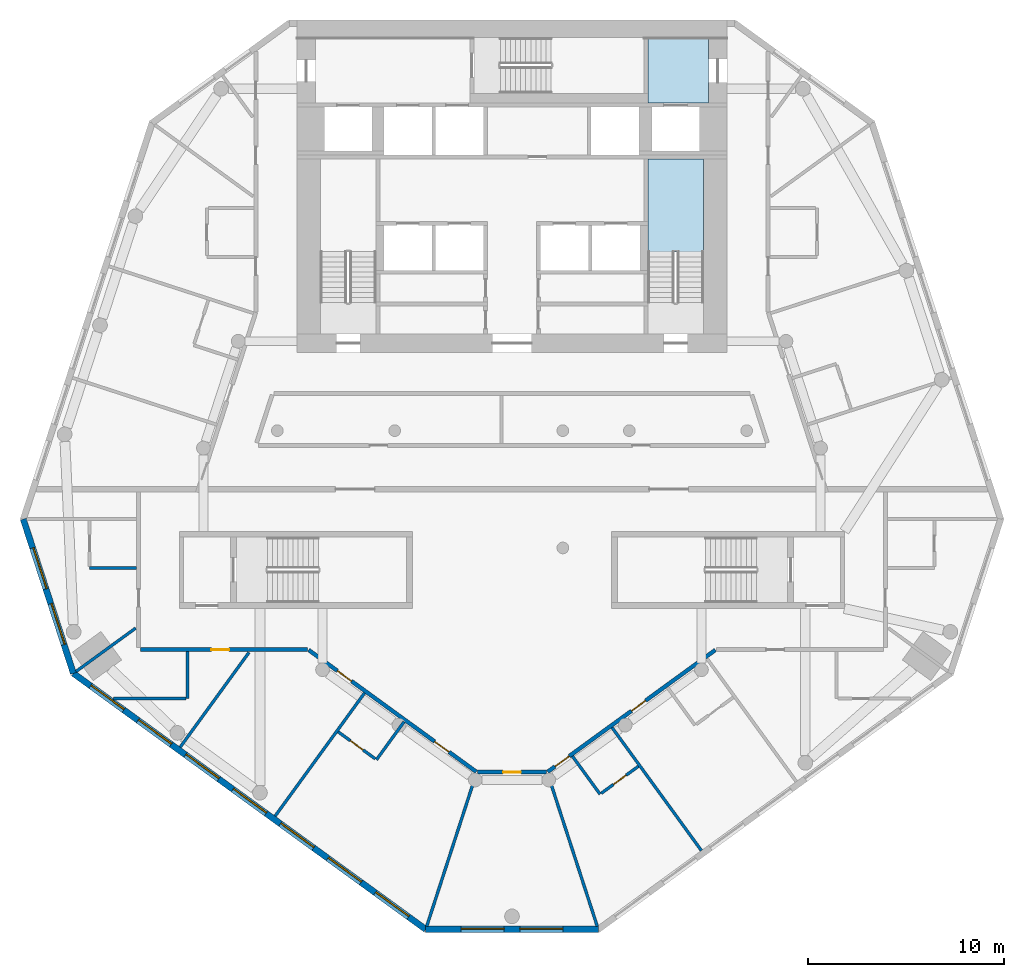
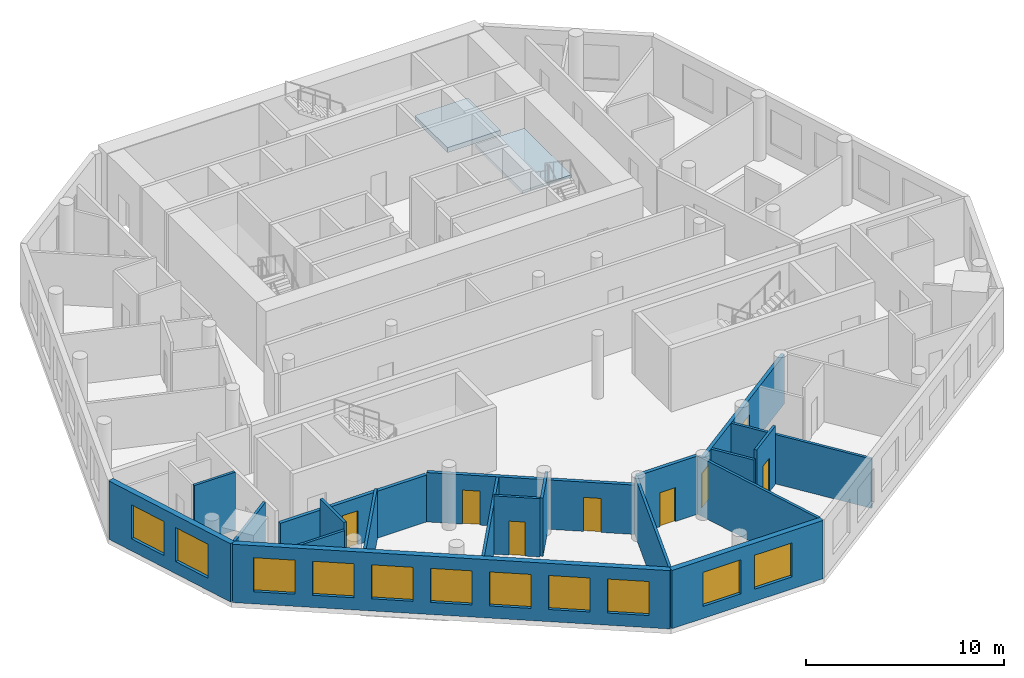
# One storey, part 2 of 9: 20 walls, 11 windows, 8 doors, 2 slabs, 19 openings, 1 element without a shape of its own.
"""IFC4 building model written with IfcOpenShell, lengths in metres."""

from ifc_helpers import new_model, si_unit, direction, frame, frame_2d, origin, place, context, subcontext, project, spatial, polyline, rectangle, outline, extrude, material, layer, layer_set, type_object, element, fill, aggregate, save


model = new_model("IFC4")

# Units and contexts
model_context = context("Model", 3, precision=1e-05, world=origin(), true_north=direction((0.0, 1.0)))
body_context = subcontext(model_context, "Body", "Model", "MODEL_VIEW")
ifc_project = project(units=[si_unit("LENGTHUNIT", "METRE"), si_unit("AREAUNIT", "SQUARE_METRE"), si_unit("VOLUMEUNIT", "CUBIC_METRE"), si_unit("PLANEANGLEUNIT", "RADIAN"), si_unit("MASSUNIT", "GRAM", prefix="KILO")], contexts=[model_context])

# Site, building, storey
site_placement = place(None, origin())
site = spatial("IfcSite", under=ifc_project, at=site_placement, CompositionType="ELEMENT")
building_placement = place(site_placement, origin())
building = spatial("IfcBuilding", under=site, at=building_placement, Name="White Candle Pilgrim Tower", CompositionType="ELEMENT")
storey_placement = place(building_placement, frame((0.0, 0.0, 187.60009765625)))
storey = spatial("IfcBuildingStorey", under=building, at=storey_placement, Name="L43", CompositionType="ELEMENT", Elevation=187.60009765625)

# Slab
ifc_material_1 = material(Name="Concrete C40/50", Category="concrete")
ifc_layer_1 = layer(ifc_material_1, 0.300048828125)
ifc_layer_set_1 = layer_set([ifc_layer_1], Name="Core floor slab 300 mm Concrete C40/50")
slab_type_1 = type_object("IfcSlabType", Name="Core floor slab 300 mm Concrete C40/50", PredefinedType="FLOOR", material=ifc_layer_set_1)
slab_1_placement = place(storey_placement, frame((0.0, 0.0, -0.300048828125)))
element("IfcSlab", 1, at=slab_1_placement, inside=storey, type_object=slab_type_1, Name="CF-L43-06", PredefinedType="FLOOR", context=body_context, shape_type="SweptSolid", body=[
    extrude(outline(polyline([(80.050048828125, 87.050048828125), (80.050048828125, 83.75), (76.949951171875, 83.75), (76.949951171875, 84.25), (76.949951171875, 87.050048828125), (80.050048828125, 87.050048828125)])), origin(), (0.0, 0.0, 1.0), 0.300048828125),
])

# Stair, slab
stair_type = type_object("IfcStairType", Name="Exit stair 2 flight width 1350 mm", PredefinedType="HALF_TURN_STAIR", material=ifc_material_1)
stair_placement = place(storey_placement, origin())
stair = element("IfcStair", 2, at=stair_placement, inside=storey, type_object=stair_type, Name="L43 stair 2", PredefinedType="NOTDEFINED")
ifc_layer_2 = layer(ifc_material_1, 0.199951171875)
ifc_layer_set_2 = layer_set([ifc_layer_2], Name="Stair landing Concrete C40/50")
slab_type_2 = type_object("IfcSlabType", Name="Stair landing Concrete C40/50", PredefinedType="LANDING", material=ifc_layer_set_2)
slab_2_placement = place(storey_placement, frame((0.0, 0.0, 1.75)))
slab_2 = element("IfcSlab", 3, at=slab_2_placement, type_object=slab_type_2, Name="ST2 landing 1", PredefinedType="LANDING", context=body_context, shape_type="SweptSolid", body=[
    extrude(outline(polyline([(79.802001953125, 76.14794921875), (76.947998046875, 76.14794921875), (76.947998046875, 80.902099609375), (79.802001953125, 80.902099609375), (79.802001953125, 76.14794921875)])), origin(), (0.0, 0.0, 1.0), 0.199951171875),
])
aggregate(stair, [slab_2])

# Wall, openings, doors
ifc_material_2 = material(Name="Gypsum board on steel studs", Category="steel")
ifc_layer_3 = layer(ifc_material_2, 0.199951171875)
ifc_layer_set_3 = layer_set([ifc_layer_3], Name="Corridor wall 200 mm EI 45")
wall_type_1 = type_object("IfcWallType", Name="Corridor wall 200 mm EI 45", PredefinedType="PARTITIONING", material=ifc_layer_set_3)
wall_1_placement = place(storey_placement, frame((80.398193359375, 55.781005859375, 0.0), z_axis=(0.0, 0.0, 1.0), x_axis=(-0.809012991801, -0.587790761324, 0.0)))
wall_1 = element("IfcWall", 4, at=wall_1_placement, inside=storey, type_object=wall_type_1, Name="WL-L43-P008", PredefinedType="PARTITIONING", context=body_context, shape_type="SweptSolid", body=[
    extrude(rectangle(XDim=10.595703125, YDim=0.199951171875, at=frame_2d((5.2978515625, 0.0))), origin(), (0.0, 0.0, 1.0), 3.0498046875),
])
opening_1_placement = place(wall_1_placement, frame((9.233154296875, 0.0, 0.0)))
opening_1 = element("IfcOpeningElement", 5, at=opening_1_placement, cuts=wall_1, Name="Opening T13-111", PredefinedType="OPENING", context=body_context, shape_type="SweptSolid", body=[
    extrude(rectangle(XDim=0.89990234375, YDim=2.10009765625, at=frame_2d((0.449951171875, 1.050048828125))), frame((0.0, 0.10986328125, 0.0), z_axis=(0.0, -1.0, 0.0), x_axis=(1.0, 0.0, 0.0)), (0.0, 0.0, 1.0), 0.219970703125),
])
opening_2_placement = place(wall_1_placement, frame((4.404296875, 0.0, 0.0)))
opening_2 = element("IfcOpeningElement", 6, at=opening_2_placement, cuts=wall_1, Name="Opening T13-113", PredefinedType="OPENING", context=body_context, shape_type="SweptSolid", body=[
    extrude(rectangle(XDim=0.89990234375, YDim=2.10009765625, at=frame_2d((0.449951171875, 1.050048828125))), frame((0.0, 0.10986328125, 0.0), z_axis=(0.0, -1.0, 0.0), x_axis=(1.0, 0.0, 0.0)), (0.0, 0.0, 1.0), 0.219970703125),
])
ifc_material_3 = material(Name="Steel door leaf", Category="steel")
door_type_1 = type_object("IfcDoorType", Name="Fire door 900 x 2100 EI 30", OperationType="NOTDEFINED", PredefinedType="DOOR", material=ifc_material_3)
door_1_placement = place(opening_1_placement, origin())
door_1 = element("IfcDoor", 7, at=door_1_placement, inside=storey, type_object=door_type_1, Name="Door T13-111", OperationType="SINGLE_SWING_LEFT", OverallHeight=2.10009765625, OverallWidth=0.89990234375, PredefinedType="DOOR", context=body_context, shape_type="SweptSolid", body=[
    extrude(rectangle(XDim=0.89990234375, YDim=2.10009765625, at=frame_2d((0.449951171875, 1.050048828125))), frame((0.0, 0.02490234375, 0.0), z_axis=(0.0, -1.0, 0.0), x_axis=(1.0, 0.0, 0.0)), (0.0, 0.0, 1.0), 0.050048828125),
])
fill(opening_1, door_1)
door_2_placement = place(opening_2_placement, origin())
door_2 = element("IfcDoor", 8, at=door_2_placement, inside=storey, type_object=door_type_1, Name="Door T13-113", OperationType="SINGLE_SWING_LEFT", OverallHeight=2.10009765625, OverallWidth=0.89990234375, PredefinedType="DOOR", context=body_context, shape_type="SweptSolid", body=[
    extrude(rectangle(XDim=0.89990234375, YDim=2.10009765625, at=frame_2d((0.449951171875, 1.050048828125))), frame((0.0, 0.02490234375, 0.0), z_axis=(0.0, -1.0, 0.0), x_axis=(1.0, 0.0, 0.0)), (0.0, 0.0, 1.0), 0.050048828125),
])
fill(opening_2, door_2)

# Wall, opening, door
wall_2_placement = place(storey_placement, frame((71.767333984375, 49.533935546875, 0.0), z_axis=(0.0, 0.0, 1.0), x_axis=(-1.0, 0.0, 0.0)))
wall_2 = element("IfcWall", 9, at=wall_2_placement, inside=storey, type_object=wall_type_1, Name="WL-L43-P009", PredefinedType="PARTITIONING", context=body_context, shape_type="SweptSolid", body=[
    extrude(rectangle(XDim=3.53466796875, YDim=0.199951171875, at=frame_2d((1.767333984375, 0.0))), origin(), (0.0, 0.0, 1.0), 3.599853515625),
])
opening_3_placement = place(wall_2_placement, frame((1.3173828125, 0.0, 0.0)))
opening_3 = element("IfcOpeningElement", 10, at=opening_3_placement, cuts=wall_2, Name="Opening T13-109", PredefinedType="OPENING", context=body_context, shape_type="SweptSolid", body=[
    extrude(rectangle(XDim=0.89990234375, YDim=2.10009765625, at=frame_2d((0.449951171875, 1.050048828125))), frame((0.0, 0.10986328125, 0.0), z_axis=(0.0, -1.0, 0.0), x_axis=(1.0, 0.0, 0.0)), (0.0, 0.0, 1.0), 0.219970703125),
])
door_3_placement = place(opening_3_placement, origin())
door_3 = element("IfcDoor", 11, at=door_3_placement, inside=storey, type_object=door_type_1, Name="Door T13-109", OperationType="SINGLE_SWING_LEFT", OverallHeight=2.10009765625, OverallWidth=0.89990234375, PredefinedType="DOOR", context=body_context, shape_type="SweptSolid", body=[
    extrude(rectangle(XDim=0.89990234375, YDim=2.10009765625, at=frame_2d((0.449951171875, 1.050048828125))), frame((0.0, 0.02490234375, 0.0), z_axis=(0.0, -1.0, 0.0), x_axis=(1.0, 0.0, 0.0)), (0.0, 0.0, 1.0), 0.050048828125),
])
fill(opening_3, door_3)

# Wall, openings, doors
wall_3_placement = place(storey_placement, frame((68.173828125, 49.552978515625, 0.0), z_axis=(0.0, 0.0, 1.0), x_axis=(-0.809012991801, 0.587790761324, 0.0)))
wall_3 = element("IfcWall", 12, at=wall_3_placement, inside=storey, type_object=wall_type_1, Name="WL-L43-P010", PredefinedType="PARTITIONING", context=body_context, shape_type="SweptSolid", body=[
    extrude(rectangle(XDim=10.595703125, YDim=0.199951171875, at=frame_2d((5.2978515625, 0.0))), origin(), (0.0, 0.0, 1.0), 3.0498046875),
])
opening_4_placement = place(wall_3_placement, frame((7.884765625, 0.0, 0.0)))
opening_4 = element("IfcOpeningElement", 13, at=opening_4_placement, cuts=wall_3, Name="Opening T13-106", PredefinedType="OPENING", context=body_context, shape_type="SweptSolid", body=[
    extrude(rectangle(XDim=0.89990234375, YDim=2.10009765625, at=frame_2d((0.449951171875, 1.050048828125))), frame((0.0, 0.10986328125, 0.0), z_axis=(0.0, -1.0, 0.0), x_axis=(1.0, 0.0, 0.0)), (0.0, 0.0, 1.0), 0.219970703125),
])
opening_5_placement = place(wall_3_placement, frame((1.7294921875, 0.0, 0.0)))
opening_5 = element("IfcOpeningElement", 14, at=opening_5_placement, cuts=wall_3, Name="Opening T13-108", PredefinedType="OPENING", context=body_context, shape_type="SweptSolid", body=[
    extrude(rectangle(XDim=0.89990234375, YDim=2.10009765625, at=frame_2d((0.449951171875, 1.050048828125))), frame((0.0, 0.10986328125, 0.0), z_axis=(0.0, -1.0, 0.0), x_axis=(1.0, 0.0, 0.0)), (0.0, 0.0, 1.0), 0.219970703125),
])
door_4_placement = place(opening_4_placement, origin())
door_4 = element("IfcDoor", 15, at=door_4_placement, inside=storey, type_object=door_type_1, Name="Door T13-106", OperationType="SINGLE_SWING_RIGHT", OverallHeight=2.10009765625, OverallWidth=0.89990234375, PredefinedType="DOOR", context=body_context, shape_type="SweptSolid", body=[
    extrude(rectangle(XDim=0.89990234375, YDim=2.10009765625, at=frame_2d((0.449951171875, 1.050048828125))), frame((0.0, 0.02490234375, 0.0), z_axis=(0.0, -1.0, 0.0), x_axis=(1.0, 0.0, 0.0)), (0.0, 0.0, 1.0), 0.050048828125),
])
fill(opening_4, door_4)
door_5_placement = place(opening_5_placement, origin())
door_5 = element("IfcDoor", 16, at=door_5_placement, inside=storey, type_object=door_type_1, Name="Door T13-108", OperationType="SINGLE_SWING_RIGHT", OverallHeight=2.10009765625, OverallWidth=0.89990234375, PredefinedType="DOOR", context=body_context, shape_type="SweptSolid", body=[
    extrude(rectangle(XDim=0.89990234375, YDim=2.10009765625, at=frame_2d((0.449951171875, 1.050048828125))), frame((0.0, 0.02490234375, 0.0), z_axis=(0.0, -1.0, 0.0), x_axis=(1.0, 0.0, 0.0)), (0.0, 0.0, 1.0), 0.050048828125),
])
fill(opening_5, door_5)

# Wall, opening, door
wall_4_placement = place(storey_placement, frame((59.54296875, 55.800048828125, 0.0), z_axis=(0.0, 0.0, 1.0), x_axis=(-1.0, 0.0, 0.0)))
wall_4 = element("IfcWall", 17, at=wall_4_placement, inside=storey, type_object=wall_type_1, Name="WL-L43-P011", PredefinedType="PARTITIONING", context=body_context, shape_type="SweptSolid", body=[
    extrude(rectangle(XDim=8.54296875, YDim=0.199951171875, at=frame_2d((4.271484375, 0.0))), origin(), (0.0, 0.0, 1.0), 2.89990234375),
])
opening_6_placement = place(wall_4_placement, frame((4.015869140625, 0.0, 0.0)))
opening_6 = element("IfcOpeningElement", 18, at=opening_6_placement, cuts=wall_4, Name="Opening T13-105", PredefinedType="OPENING", context=body_context, shape_type="SweptSolid", body=[
    extrude(rectangle(XDim=0.89990234375, YDim=2.10009765625, at=frame_2d((0.449951171875, 1.050048828125))), frame((0.0, 0.10986328125, 0.0), z_axis=(0.0, -1.0, 0.0), x_axis=(1.0, 0.0, 0.0)), (0.0, 0.0, 1.0), 0.219970703125),
])
door_6_placement = place(opening_6_placement, origin())
door_6 = element("IfcDoor", 19, at=door_6_placement, inside=storey, type_object=door_type_1, Name="Door T13-105", OperationType="SINGLE_SWING_LEFT", OverallHeight=2.10009765625, OverallWidth=0.89990234375, PredefinedType="DOOR", context=body_context, shape_type="SweptSolid", body=[
    extrude(rectangle(XDim=0.89990234375, YDim=2.10009765625, at=frame_2d((0.449951171875, 1.050048828125))), frame((0.0, 0.02490234375, 0.0), z_axis=(0.0, -1.0, 0.0), x_axis=(1.0, 0.0, 0.0)), (0.0, 0.0, 1.0), 0.050048828125),
])
fill(opening_6, door_6)

# Wall, openings, windows
ifc_material_4 = material(Name="Precast concrete C40/50", Category="concrete")
ifc_layer_4 = layer(ifc_material_4, 0.320068359375)
ifc_layer_set_4 = layer_set([ifc_layer_4], Name="Facade wall EW1 precast concrete C40/50 pier wall with timber-lined reveals")
wall_type_2 = type_object("IfcWallType", Name="Facade wall EW1 precast concrete C40/50 pier wall with timber-lined reveals", PredefinedType="SOLIDWALL", material=ifc_layer_set_4)
wall_5_placement = place(storey_placement, frame((45.0068359375, 62.470703125, 0.0), z_axis=(0.0, 0.0, 1.0), x_axis=(0.309001512975, -0.951061546368, 0.0)))
wall_5 = element("IfcWall", 20, at=wall_5_placement, inside=storey, type_object=wall_type_2, Name="Facade wall L43 W chamfer", PredefinedType="SOLIDWALL", context=body_context, shape_type="SweptSolid", body=[
    extrude(rectangle(XDim=8.291259765625, YDim=0.320068359375, at=frame_2d((4.1455078125, 0.0))), origin(), (0.0, 0.0, 1.0), 3.599853515625),
])
opening_7_placement = place(wall_5_placement, frame((1.545654296875, 0.0, 0.75)))
opening_7 = element("IfcOpeningElement", 21, at=opening_7_placement, cuts=wall_5, Name="Opening W4", PredefinedType="OPENING", context=body_context, shape_type="SweptSolid", body=[
    extrude(rectangle(XDim=2.199951171875, YDim=2.10009765625, at=frame_2d((1.10009765625, 1.050048828125))), frame((0.0, 0.169921875, 0.0), z_axis=(0.0, -1.0, 0.0), x_axis=(1.0, 0.0, 0.0)), (0.0, 0.0, 1.0), 0.340087890625),
])
opening_8_placement = place(wall_5_placement, frame((4.545654296875, 0.0, 0.75)))
opening_8 = element("IfcOpeningElement", 22, at=opening_8_placement, cuts=wall_5, Name="Opening W4", PredefinedType="OPENING", context=body_context, shape_type="SweptSolid", body=[
    extrude(rectangle(XDim=2.199951171875, YDim=2.10009765625, at=frame_2d((1.10009765625, 1.050048828125))), frame((0.0, 0.169921875, 0.0), z_axis=(0.0, -1.0, 0.0), x_axis=(1.0, 0.0, 0.0)), (0.0, 0.0, 1.0), 0.340087890625),
])
ifc_material_5 = material(Name="Timber frame with triple glazing", Category="wood")
window_type_1 = type_object("IfcWindowType", Name="Window W4 2200x2100 timber frame triple glazing", PartitioningType="SINGLE_PANEL", PredefinedType="WINDOW", material=ifc_material_5)
window_1_placement = place(opening_7_placement, origin())
window_1 = element("IfcWindow", 23, at=window_1_placement, inside=storey, type_object=window_type_1, Name="Window W4 L43 W chamfer 1", OverallHeight=2.10009765625, OverallWidth=2.199951171875, PartitioningType="SINGLE_PANEL", PredefinedType="WINDOW", context=body_context, shape_type="SweptSolid", body=[
    extrude(rectangle(XDim=2.199951171875, YDim=2.10009765625, at=frame_2d((1.10009765625, 1.050048828125))), frame((0.0, 0.070068359375, 0.0), z_axis=(0.0, -1.0, 0.0), x_axis=(1.0, 0.0, 0.0)), (0.0, 0.0, 1.0), 0.06005859375),
])
fill(opening_7, window_1)
window_2_placement = place(opening_8_placement, origin())
window_2 = element("IfcWindow", 24, at=window_2_placement, inside=storey, type_object=window_type_1, Name="Window W4 L43 W chamfer 2", OverallHeight=2.10009765625, OverallWidth=2.199951171875, PartitioningType="SINGLE_PANEL", PredefinedType="WINDOW", context=body_context, shape_type="SweptSolid", body=[
    extrude(rectangle(XDim=2.199951171875, YDim=2.10009765625, at=frame_2d((1.10009765625, 1.050048828125))), frame((0.0, 0.070068359375, 0.0), z_axis=(0.0, -1.0, 0.0), x_axis=(1.0, 0.0, 0.0)), (0.0, 0.0, 1.0), 0.06005859375),
])
fill(opening_8, window_2)

wall_6_placement = place(storey_placement, frame((47.56884765625, 54.585205078125, 0.0), z_axis=(0.0, 0.0, 1.0), x_axis=(0.809019450931, -0.587781871118, 0.0)))
wall_6 = element("IfcWall", 25, at=wall_6_placement, inside=storey, type_object=wall_type_2, Name="Facade wall L43 SW", PredefinedType="SOLIDWALL", context=body_context, shape_type="SweptSolid", body=[
    extrude(rectangle(XDim=22.2724609375, YDim=0.320068359375, at=frame_2d((11.13623046875, 0.0))), origin(), (0.0, 0.0, 1.0), 3.599853515625),
])
opening_9_placement = place(wall_6_placement, frame((1.086181640625, 0.0, 0.75)))
opening_9 = element("IfcOpeningElement", 26, at=opening_9_placement, cuts=wall_6, Name="Opening W3", PredefinedType="OPENING", context=body_context, shape_type="SweptSolid", body=[
    extrude(rectangle(XDim=2.10009765625, YDim=2.10009765625, at=frame_2d((1.050048828125, 1.050048828125))), frame((0.0, 0.169921875, 0.0), z_axis=(0.0, -1.0, 0.0), x_axis=(1.0, 0.0, 0.0)), (0.0, 0.0, 1.0), 0.340087890625),
])
opening_10_placement = place(wall_6_placement, frame((4.086181640625, 0.0, 0.75)))
opening_10 = element("IfcOpeningElement", 27, at=opening_10_placement, cuts=wall_6, Name="Opening W3", PredefinedType="OPENING", context=body_context, shape_type="SweptSolid", body=[
    extrude(rectangle(XDim=2.10009765625, YDim=2.10009765625, at=frame_2d((1.050048828125, 1.050048828125))), frame((0.0, 0.169921875, 0.0), z_axis=(0.0, -1.0, 0.0), x_axis=(1.0, 0.0, 0.0)), (0.0, 0.0, 1.0), 0.340087890625),
])
opening_11_placement = place(wall_6_placement, frame((7.086181640625, 0.0, 0.75)))
opening_11 = element("IfcOpeningElement", 28, at=opening_11_placement, cuts=wall_6, Name="Opening W3", PredefinedType="OPENING", context=body_context, shape_type="SweptSolid", body=[
    extrude(rectangle(XDim=2.10009765625, YDim=2.10009765625, at=frame_2d((1.050048828125, 1.050048828125))), frame((0.0, 0.169921875, 0.0), z_axis=(0.0, -1.0, 0.0), x_axis=(1.0, 0.0, 0.0)), (0.0, 0.0, 1.0), 0.340087890625),
])
opening_12_placement = place(wall_6_placement, frame((10.086181640625, 0.0, 0.75)))
opening_12 = element("IfcOpeningElement", 29, at=opening_12_placement, cuts=wall_6, Name="Opening W3", PredefinedType="OPENING", context=body_context, shape_type="SweptSolid", body=[
    extrude(rectangle(XDim=2.10009765625, YDim=2.10009765625, at=frame_2d((1.050048828125, 1.050048828125))), frame((0.0, 0.169921875, 0.0), z_axis=(0.0, -1.0, 0.0), x_axis=(1.0, 0.0, 0.0)), (0.0, 0.0, 1.0), 0.340087890625),
])
opening_13_placement = place(wall_6_placement, frame((13.086181640625, 0.0, 0.75)))
opening_13 = element("IfcOpeningElement", 30, at=opening_13_placement, cuts=wall_6, Name="Opening W3", PredefinedType="OPENING", context=body_context, shape_type="SweptSolid", body=[
    extrude(rectangle(XDim=2.10009765625, YDim=2.10009765625, at=frame_2d((1.050048828125, 1.050048828125))), frame((0.0, 0.169921875, 0.0), z_axis=(0.0, -1.0, 0.0), x_axis=(1.0, 0.0, 0.0)), (0.0, 0.0, 1.0), 0.340087890625),
])
opening_14_placement = place(wall_6_placement, frame((16.086181640625, 0.0, 0.75)))
opening_14 = element("IfcOpeningElement", 31, at=opening_14_placement, cuts=wall_6, Name="Opening W3", PredefinedType="OPENING", context=body_context, shape_type="SweptSolid", body=[
    extrude(rectangle(XDim=2.10009765625, YDim=2.10009765625, at=frame_2d((1.050048828125, 1.050048828125))), frame((0.0, 0.169921875, 0.0), z_axis=(0.0, -1.0, 0.0), x_axis=(1.0, 0.0, 0.0)), (0.0, 0.0, 1.0), 0.340087890625),
])
opening_15_placement = place(wall_6_placement, frame((19.086181640625, 0.0, 0.75)))
opening_15 = element("IfcOpeningElement", 32, at=opening_15_placement, cuts=wall_6, Name="Opening W3", PredefinedType="OPENING", context=body_context, shape_type="SweptSolid", body=[
    extrude(rectangle(XDim=2.10009765625, YDim=2.10009765625, at=frame_2d((1.050048828125, 1.050048828125))), frame((0.0, 0.169921875, 0.0), z_axis=(0.0, -1.0, 0.0), x_axis=(1.0, 0.0, 0.0)), (0.0, 0.0, 1.0), 0.340087890625),
])
window_type_2 = type_object("IfcWindowType", Name="Window W3 2100x2100 timber frame triple glazing", PartitioningType="SINGLE_PANEL", PredefinedType="WINDOW", material=ifc_material_5)
window_3_placement = place(opening_9_placement, origin())
window_3 = element("IfcWindow", 33, at=window_3_placement, inside=storey, type_object=window_type_2, Name="Window W3 L43 SW 1", OverallHeight=2.10009765625, OverallWidth=2.10009765625, PartitioningType="SINGLE_PANEL", PredefinedType="WINDOW", context=body_context, shape_type="SweptSolid", body=[
    extrude(rectangle(XDim=2.10009765625, YDim=2.10009765625, at=frame_2d((1.050048828125, 1.050048828125))), frame((0.0, 0.070068359375, 0.0), z_axis=(0.0, -1.0, 0.0), x_axis=(1.0, 0.0, 0.0)), (0.0, 0.0, 1.0), 0.06005859375),
])
fill(opening_9, window_3)
window_4_placement = place(opening_10_placement, origin())
window_4 = element("IfcWindow", 34, at=window_4_placement, inside=storey, type_object=window_type_2, Name="Window W3 L43 SW 2", OverallHeight=2.10009765625, OverallWidth=2.10009765625, PartitioningType="SINGLE_PANEL", PredefinedType="WINDOW", context=body_context, shape_type="SweptSolid", body=[
    extrude(rectangle(XDim=2.10009765625, YDim=2.10009765625, at=frame_2d((1.050048828125, 1.050048828125))), frame((0.0, 0.070068359375, 0.0), z_axis=(0.0, -1.0, 0.0), x_axis=(1.0, 0.0, 0.0)), (0.0, 0.0, 1.0), 0.06005859375),
])
fill(opening_10, window_4)
window_5_placement = place(opening_11_placement, origin())
window_5 = element("IfcWindow", 35, at=window_5_placement, inside=storey, type_object=window_type_2, Name="Window W3 L43 SW 3", OverallHeight=2.10009765625, OverallWidth=2.10009765625, PartitioningType="SINGLE_PANEL", PredefinedType="WINDOW", context=body_context, shape_type="SweptSolid", body=[
    extrude(rectangle(XDim=2.10009765625, YDim=2.10009765625, at=frame_2d((1.050048828125, 1.050048828125))), frame((0.0, 0.070068359375, 0.0), z_axis=(0.0, -1.0, 0.0), x_axis=(1.0, 0.0, 0.0)), (0.0, 0.0, 1.0), 0.06005859375),
])
fill(opening_11, window_5)
window_6_placement = place(opening_12_placement, origin())
window_6 = element("IfcWindow", 36, at=window_6_placement, inside=storey, type_object=window_type_2, Name="Window W3 L43 SW 4", OverallHeight=2.10009765625, OverallWidth=2.10009765625, PartitioningType="SINGLE_PANEL", PredefinedType="WINDOW", context=body_context, shape_type="SweptSolid", body=[
    extrude(rectangle(XDim=2.10009765625, YDim=2.10009765625, at=frame_2d((1.050048828125, 1.050048828125))), frame((0.0, 0.070068359375, 0.0), z_axis=(0.0, -1.0, 0.0), x_axis=(1.0, 0.0, 0.0)), (0.0, 0.0, 1.0), 0.06005859375),
])
fill(opening_12, window_6)
window_7_placement = place(opening_13_placement, origin())
window_7 = element("IfcWindow", 37, at=window_7_placement, inside=storey, type_object=window_type_2, Name="Window W3 L43 SW 5", OverallHeight=2.10009765625, OverallWidth=2.10009765625, PartitioningType="SINGLE_PANEL", PredefinedType="WINDOW", context=body_context, shape_type="SweptSolid", body=[
    extrude(rectangle(XDim=2.10009765625, YDim=2.10009765625, at=frame_2d((1.050048828125, 1.050048828125))), frame((0.0, 0.070068359375, 0.0), z_axis=(0.0, -1.0, 0.0), x_axis=(1.0, 0.0, 0.0)), (0.0, 0.0, 1.0), 0.06005859375),
])
fill(opening_13, window_7)
window_8_placement = place(opening_14_placement, origin())
window_8 = element("IfcWindow", 38, at=window_8_placement, inside=storey, type_object=window_type_2, Name="Window W3 L43 SW 6", OverallHeight=2.10009765625, OverallWidth=2.10009765625, PartitioningType="SINGLE_PANEL", PredefinedType="WINDOW", context=body_context, shape_type="SweptSolid", body=[
    extrude(rectangle(XDim=2.10009765625, YDim=2.10009765625, at=frame_2d((1.050048828125, 1.050048828125))), frame((0.0, 0.070068359375, 0.0), z_axis=(0.0, -1.0, 0.0), x_axis=(1.0, 0.0, 0.0)), (0.0, 0.0, 1.0), 0.06005859375),
])
fill(opening_14, window_8)
window_9_placement = place(opening_15_placement, origin())
window_9 = element("IfcWindow", 39, at=window_9_placement, inside=storey, type_object=window_type_2, Name="Window W3 L43 SW 7", OverallHeight=2.10009765625, OverallWidth=2.10009765625, PartitioningType="SINGLE_PANEL", PredefinedType="WINDOW", context=body_context, shape_type="SweptSolid", body=[
    extrude(rectangle(XDim=2.10009765625, YDim=2.10009765625, at=frame_2d((1.050048828125, 1.050048828125))), frame((0.0, 0.070068359375, 0.0), z_axis=(0.0, -1.0, 0.0), x_axis=(1.0, 0.0, 0.0)), (0.0, 0.0, 1.0), 0.06005859375),
])
fill(opening_15, window_9)

wall_7_placement = place(storey_placement, frame((65.587646484375, 41.493896484375, 0.0), z_axis=(0.0, 0.0, 1.0), x_axis=(1.0, 0.0, 0.0)))
wall_7 = element("IfcWall", 40, at=wall_7_placement, inside=storey, type_object=wall_type_2, Name="Facade wall L43 S chamfer", PredefinedType="SOLIDWALL", context=body_context, shape_type="SweptSolid", body=[
    extrude(rectangle(XDim=8.82470703125, YDim=0.320068359375, at=frame_2d((4.412353515625, 0.0))), origin(), (0.0, 0.0, 1.0), 3.599853515625),
])
opening_16_placement = place(wall_7_placement, frame((1.812255859375, 0.0, 0.75)))
opening_16 = element("IfcOpeningElement", 41, at=opening_16_placement, cuts=wall_7, Name="Opening W4", PredefinedType="OPENING", context=body_context, shape_type="SweptSolid", body=[
    extrude(rectangle(XDim=2.199951171875, YDim=2.10009765625, at=frame_2d((1.10009765625, 1.050048828125))), frame((0.0, 0.169921875, 0.0), z_axis=(0.0, -1.0, 0.0), x_axis=(1.0, 0.0, 0.0)), (0.0, 0.0, 1.0), 0.340087890625),
])
opening_17_placement = place(wall_7_placement, frame((4.812255859375, 0.0, 0.75)))
opening_17 = element("IfcOpeningElement", 42, at=opening_17_placement, cuts=wall_7, Name="Opening W4", PredefinedType="OPENING", context=body_context, shape_type="SweptSolid", body=[
    extrude(rectangle(XDim=2.199951171875, YDim=2.10009765625, at=frame_2d((1.10009765625, 1.050048828125))), frame((0.0, 0.169921875, 0.0), z_axis=(0.0, -1.0, 0.0), x_axis=(1.0, 0.0, 0.0)), (0.0, 0.0, 1.0), 0.340087890625),
])
window_10_placement = place(opening_16_placement, origin())
window_10 = element("IfcWindow", 43, at=window_10_placement, inside=storey, type_object=window_type_1, Name="Window W4 L43 S chamfer 1", OverallHeight=2.10009765625, OverallWidth=2.199951171875, PartitioningType="SINGLE_PANEL", PredefinedType="WINDOW", context=body_context, shape_type="SweptSolid", body=[
    extrude(rectangle(XDim=2.199951171875, YDim=2.10009765625, at=frame_2d((1.10009765625, 1.050048828125))), frame((0.0, 0.070068359375, 0.0), z_axis=(0.0, -1.0, 0.0), x_axis=(1.0, 0.0, 0.0)), (0.0, 0.0, 1.0), 0.06005859375),
])
fill(opening_16, window_10)
window_11_placement = place(opening_17_placement, origin())
window_11 = element("IfcWindow", 44, at=window_11_placement, inside=storey, type_object=window_type_1, Name="Window W4 L43 S chamfer 2", OverallHeight=2.10009765625, OverallWidth=2.199951171875, PartitioningType="SINGLE_PANEL", PredefinedType="WINDOW", context=body_context, shape_type="SweptSolid", body=[
    extrude(rectangle(XDim=2.199951171875, YDim=2.10009765625, at=frame_2d((1.10009765625, 1.050048828125))), frame((0.0, 0.070068359375, 0.0), z_axis=(0.0, -1.0, 0.0), x_axis=(1.0, 0.0, 0.0)), (0.0, 0.0, 1.0), 0.06005859375),
])
fill(opening_17, window_11)

# Walls
ifc_layer_5 = layer(ifc_material_2, 0.14990234375)
ifc_layer_set_5 = layer_set([ifc_layer_5], Name="Partition 150 mm EI 60")
wall_type_3 = type_object("IfcWallType", Name="Partition 150 mm EI 60", PredefinedType="PARTITIONING", material=ifc_layer_set_5)
wall_8_placement = place(storey_placement, frame((47.705078125, 54.68408203125, 0.0), z_axis=(0.0, 0.0, 1.0), x_axis=(0.808982372667, 0.587832902034, 0.0)))
element("IfcWall", 45, at=wall_8_placement, inside=storey, type_object=wall_type_3, Name="WL-L43-P019", PredefinedType="PARTITIONING", context=body_context, shape_type="SweptSolid", body=[
    extrude(rectangle(XDim=3.771240234375, YDim=0.14990234375, at=frame_2d((1.8857421875, 0.0))), origin(), (0.0, 0.0, 1.0), 3.599853515625),
])
for number, where, z_axis, x_axis, name in (
    (46, (65.6396484375, 41.65380859375, 0.0), (0.0, 0.0, 1.0), (0.309028851132, 0.95105266372, 0.0), "WL-L43-P020"),
    (47, (74.3603515625, 41.65380859375, 0.0), (0.0, 0.0, 1.0), (-0.309028851132, 0.95105266372, 0.0), "WL-L43-P021"),
):
    element("IfcWall", number, at=place(storey_placement, frame(where, z_axis=z_axis, x_axis=x_axis)), inside=storey, type_object=wall_type_3, Name=name, PredefinedType="PARTITIONING", context=body_context, shape_type="SweptSolid", body=[
        extrude(rectangle(XDim=8.200439453125, YDim=0.14990234375, at=frame_2d((4.10009765625, 0.0))), origin(), (0.0, 0.0, 1.0), 3.599853515625),
    ])
wall_9_placement = place(storey_placement, frame((50.800048828125, 59.970703125, 0.0), z_axis=(0.0, 0.0, 1.0), x_axis=(-1.0, 0.0, 0.0)))
element("IfcWall", 48, at=wall_9_placement, inside=storey, type_object=wall_type_3, Name="WL-L43-P033", PredefinedType="PARTITIONING", context=body_context, shape_type="SweptSolid", body=[
    extrude(rectangle(XDim=2.400146484375, YDim=0.14990234375, at=frame_2d((1.2001953125, 0.0))), origin(), (0.0, 0.0, 1.0), 3.599853515625),
])
wall_10_placement = place(storey_placement, frame((53.03173828125, 50.814208984375, 0.0), z_axis=(0.0, 0.0, 1.0), x_axis=(0.587790821397, 0.809012948154, 0.0)))
element("IfcWall", 49, at=wall_10_placement, inside=storey, type_object=wall_type_3, Name="WL-L43-P035", PredefinedType="PARTITIONING", context=body_context, shape_type="SweptSolid", body=[
    extrude(rectangle(XDim=5.98486328125, YDim=0.14990234375, at=frame_2d((2.992431640625, 0.0))), origin(), (0.0, 0.0, 1.0), 3.14990234375),
])
wall_11_placement = place(storey_placement, frame((57.885986328125, 47.287353515625, 0.0), z_axis=(0.0, 0.0, 1.0), x_axis=(0.587785397819, 0.809016888643, 0.0)))
element("IfcWall", 50, at=wall_11_placement, inside=storey, type_object=wall_type_3, Name="WL-L43-P036", PredefinedType="PARTITIONING", context=body_context, shape_type="SweptSolid", body=[
    extrude(rectangle(XDim=7.780029296875, YDim=0.14990234375, at=frame_2d((3.89013671875, 0.0))), origin(), (0.0, 0.0, 1.0), 3.0498046875),
])
wall_12_placement = place(storey_placement, frame((53.39990234375, 55.699951171875, 0.0), z_axis=(0.0, 0.0, 1.0), x_axis=(0.0, -1.0, 0.0)))
element("IfcWall", 51, at=wall_12_placement, inside=storey, type_object=wall_type_3, Name="WL-L43-P037", PredefinedType="PARTITIONING", context=body_context, shape_type="SweptSolid", body=[
    extrude(rectangle(XDim=2.39990234375, YDim=0.14990234375, at=frame_2d((1.199951171875, 0.0))), origin(), (0.0, 0.0, 1.0), 3.599853515625),
])
wall_13_placement = place(storey_placement, frame((49.610107421875, 53.300048828125, 0.0), z_axis=(0.0, 0.0, 1.0), x_axis=(1.0, 0.0, 0.0)))
element("IfcWall", 52, at=wall_13_placement, inside=storey, type_object=wall_type_3, Name="WL-L43-P038", PredefinedType="PARTITIONING", context=body_context, shape_type="SweptSolid", body=[
    extrude(rectangle(XDim=3.71484375, YDim=0.14990234375, at=frame_2d((1.857421875, 0.0))), origin(), (0.0, 0.0, 1.0), 3.14990234375),
])
wall_14_placement = place(storey_placement, frame((64.4814453125, 52.112060546875, 0.0), z_axis=(0.0, 0.0, 1.0), x_axis=(-0.587772420479, -0.809026317077, 0.0)))
element("IfcWall", 53, at=wall_14_placement, inside=storey, type_object=wall_type_3, Name="WL-L43-P039", PredefinedType="PARTITIONING", context=body_context, shape_type="SweptSolid", body=[
    extrude(rectangle(XDim=2.39990234375, YDim=0.14990234375, at=frame_2d((1.199951171875, 0.0))), origin(), (0.0, 0.0, 1.0), 3.599853515625),
])

# Wall, opening, door
wall_15_placement = place(storey_placement, frame((61.10888671875, 51.595703125, 0.0), z_axis=(0.0, 0.0, 1.0), x_axis=(0.809045978168, -0.587745357455, 0.0)))
wall_15 = element("IfcWall", 54, at=wall_15_placement, inside=storey, type_object=wall_type_3, Name="WL-L43-P040", PredefinedType="PARTITIONING", context=body_context, shape_type="SweptSolid", body=[
    extrude(rectangle(XDim=2.349853515625, YDim=0.14990234375, at=frame_2d((1.1748046875, 0.0))), origin(), (0.0, 0.0, 1.0), 3.599853515625),
])
opening_18_placement = place(wall_15_placement, frame((0.77490234375, 0.0, 0.0)))
opening_18 = element("IfcOpeningElement", 55, at=opening_18_placement, cuts=wall_15, Name="Opening T13-107", PredefinedType="OPENING", context=body_context, shape_type="SweptSolid", body=[
    extrude(rectangle(XDim=0.800048828125, YDim=2.10009765625, at=frame_2d((0.39990234375, 1.050048828125))), frame((0.0, 0.0849609375, 0.0), z_axis=(0.0, -1.0, 0.0), x_axis=(1.0, 0.0, 0.0)), (0.0, 0.0, 1.0), 0.169921875),
])
door_type_2 = type_object("IfcDoorType", Name="Fire door 800 x 2100 EI 30", OperationType="NOTDEFINED", PredefinedType="DOOR", material=ifc_material_3)
door_7_placement = place(opening_18_placement, frame((0.800048828125, 0.0, 0.0), z_axis=(0.0, 0.0, 1.0), x_axis=(-1.0, 0.0, 0.0)))
door_7 = element("IfcDoor", 56, at=door_7_placement, inside=storey, type_object=door_type_2, Name="Door T13-107", OperationType="SINGLE_SWING_RIGHT", OverallHeight=2.10009765625, OverallWidth=0.800048828125, PredefinedType="DOOR", context=body_context, shape_type="SweptSolid", body=[
    extrude(rectangle(XDim=0.800048828125, YDim=2.10009765625, at=frame_2d((0.39990234375, 1.050048828125))), frame((0.0, 0.02490234375, 0.0), z_axis=(0.0, -1.0, 0.0), x_axis=(1.0, 0.0, 0.0)), (0.0, 0.0, 1.0), 0.050048828125),
])
fill(opening_18, door_7)

# Walls
wall_16_placement = place(storey_placement, frame((79.68701171875, 45.52392578125, 0.0), z_axis=(0.0, 0.0, 1.0), x_axis=(-0.587785397819, 0.809016888643, 0.0)))
element("IfcWall", 57, at=wall_16_placement, inside=storey, type_object=wall_type_3, Name="WL-L43-P041", PredefinedType="PARTITIONING", context=body_context, shape_type="SweptSolid", body=[
    extrude(rectangle(XDim=7.780029296875, YDim=0.14990234375, at=frame_2d((3.89013671875, 0.0))), origin(), (0.0, 0.0, 1.0), 3.0498046875),
])
wall_17_placement = place(storey_placement, frame((73.091552734375, 50.3486328125, 0.0), z_axis=(0.0, 0.0, 1.0), x_axis=(0.587772420479, -0.809026317077, 0.0)))
element("IfcWall", 58, at=wall_17_placement, inside=storey, type_object=wall_type_3, Name="WL-L43-P043", PredefinedType="PARTITIONING", context=body_context, shape_type="SweptSolid", body=[
    extrude(rectangle(XDim=2.39990234375, YDim=0.14990234375, at=frame_2d((1.199951171875, 0.0))), origin(), (0.0, 0.0, 1.0), 3.0498046875),
])

# Wall, opening, door
wall_18_placement = place(storey_placement, frame((76.464111328125, 49.83251953125, 0.0), z_axis=(0.0, 0.0, 1.0), x_axis=(-0.808996573949, -0.587813357571, 0.0)))
wall_18 = element("IfcWall", 59, at=wall_18_placement, inside=storey, type_object=wall_type_3, Name="WL-L43-P044", PredefinedType="PARTITIONING", context=body_context, shape_type="SweptSolid", body=[
    extrude(rectangle(XDim=2.35009765625, YDim=0.14990234375, at=frame_2d((1.175048828125, 0.0))), origin(), (0.0, 0.0, 1.0), 3.599853515625),
])
opening_19_placement = place(wall_18_placement, frame((0.77490234375, 0.0, 0.0)))
opening_19 = element("IfcOpeningElement", 60, at=opening_19_placement, cuts=wall_18, Name="Opening T13-110", PredefinedType="OPENING", context=body_context, shape_type="SweptSolid", body=[
    extrude(rectangle(XDim=0.800048828125, YDim=2.10009765625, at=frame_2d((0.39990234375, 1.050048828125))), frame((0.0, 0.0849609375, 0.0), z_axis=(0.0, -1.0, 0.0), x_axis=(1.0, 0.0, 0.0)), (0.0, 0.0, 1.0), 0.169921875),
])
door_8_placement = place(opening_19_placement, origin())
door_8 = element("IfcDoor", 61, at=door_8_placement, inside=storey, type_object=door_type_2, Name="Door T13-110", OperationType="SINGLE_SWING_RIGHT", OverallHeight=2.10009765625, OverallWidth=0.800048828125, PredefinedType="DOOR", context=body_context, shape_type="SweptSolid", body=[
    extrude(rectangle(XDim=0.800048828125, YDim=2.10009765625, at=frame_2d((0.39990234375, 1.050048828125))), frame((0.0, 0.02490234375, 0.0), z_axis=(0.0, -1.0, 0.0), x_axis=(1.0, 0.0, 0.0)), (0.0, 0.0, 1.0), 0.050048828125),
])
fill(opening_19, door_8)

save(model, "model.ifc")
